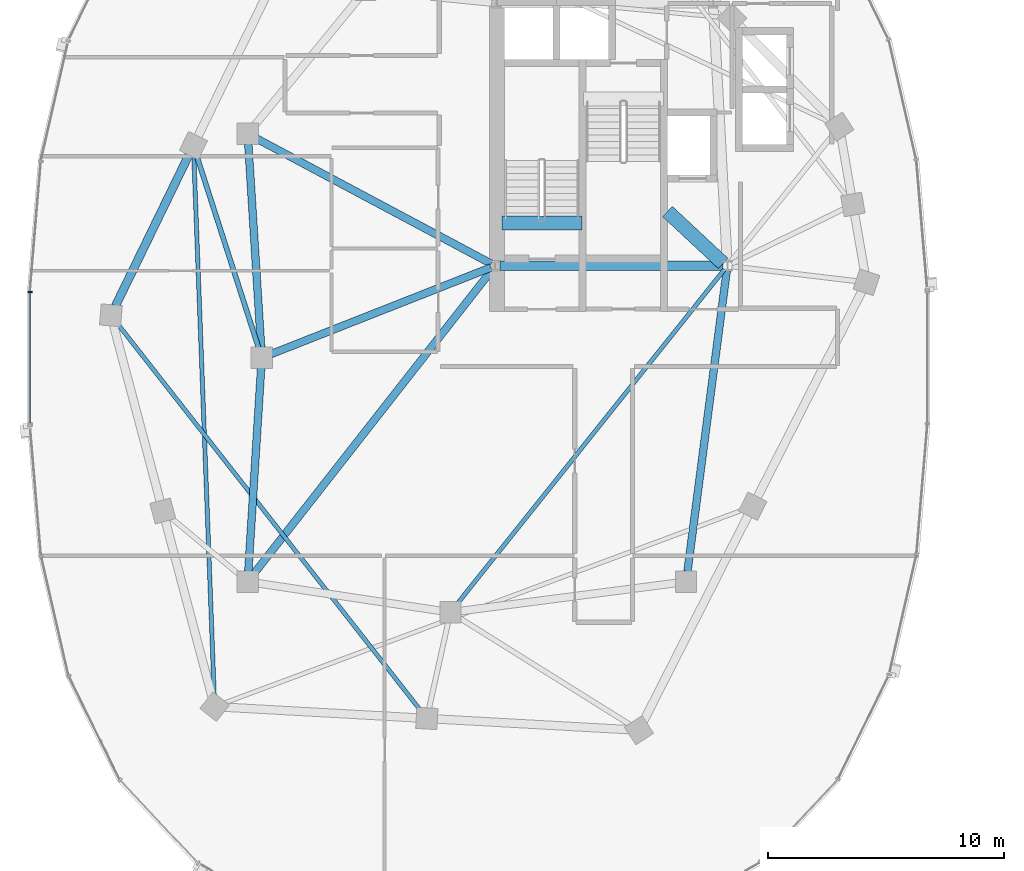
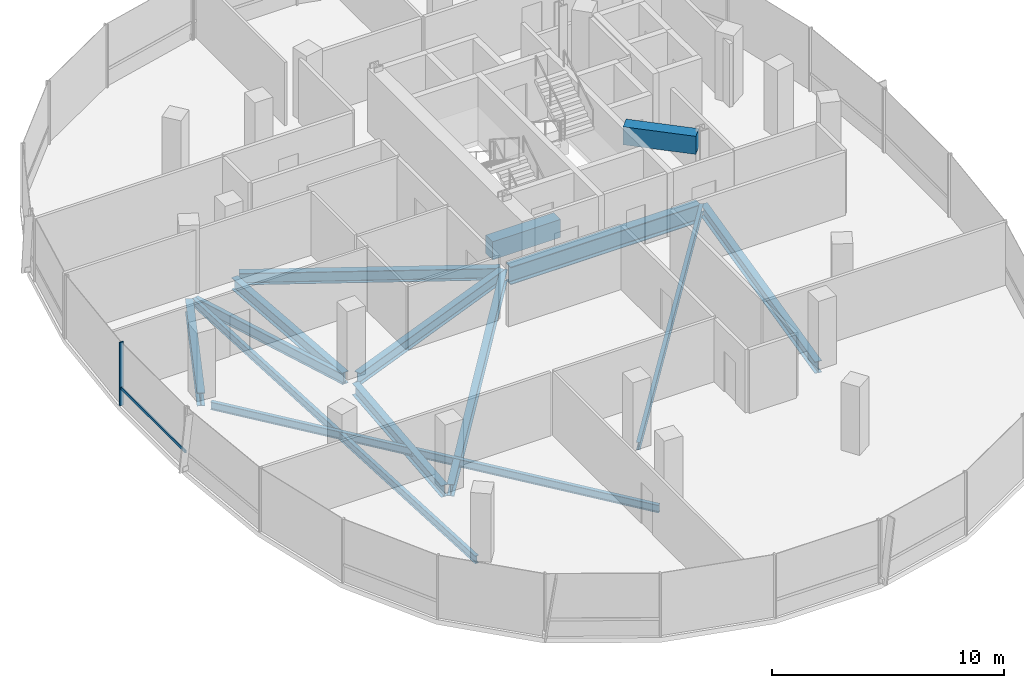
# One storey, part 4 of 25: 14 beams, 2 members, 1 element without a shape of its own.
"""IFC4 building model written with IfcOpenShell, lengths in metres."""

from ifc_helpers import new_model, si_unit, direction, frame, origin, origin_2d, place, context, subcontext, project, spatial, rectangle, i_section, extrude, material, material_profile, profile_set, type_object, element, aggregate, save


model = new_model("IFC4")

# Units and contexts
model_context = context("Model", 3, precision=1e-05, world=origin(), true_north=direction((0.0, 1.0)))
body_context = subcontext(model_context, "Body", "Model", "MODEL_VIEW")
ifc_project = project(units=[si_unit("LENGTHUNIT", "METRE"), si_unit("AREAUNIT", "SQUARE_METRE"), si_unit("VOLUMEUNIT", "CUBIC_METRE"), si_unit("PLANEANGLEUNIT", "RADIAN"), si_unit("MASSUNIT", "GRAM", prefix="KILO"), si_unit("THERMODYNAMICTEMPERATUREUNIT", "KELVIN"), si_unit("POWERUNIT", "WATT")], contexts=[model_context])

# Site, building, storey
site_placement = place(None, origin())
site = spatial("IfcSite", under=ifc_project, at=site_placement, CompositionType="ELEMENT")
building_placement = place(site_placement, origin())
building = spatial("IfcBuilding", under=site, at=building_placement, Name="Cundina Bronze Exchange", CompositionType="ELEMENT")
storey_placement = place(building_placement, frame((0.0, 0.0, 206.199951171875)))
storey = spatial("IfcBuildingStorey", under=building, at=storey_placement, Name="L54", CompositionType="ELEMENT", Elevation=206.199951171875)

# Beams
ifc_material_1 = material(Name="Concrete C60/75", Category="concrete")
ifc_material_profile_1 = material_profile(ifc_material_1, rectangle(XDim=0.60009765625, YDim=0.949951171875, at=origin_2d()), Name="RC600X950", Category="concrete")
ifc_profile_set_1 = profile_set([ifc_material_profile_1], Name="Concrete C60/75")
beam_type_1 = type_object("IfcBeamType", Name="BM-COUP-RC950", PredefinedType="LINTEL", material=ifc_profile_set_1)
beam_1_placement = place(storey_placement, frame((-31.02001953125, 5.719970703125, -0.474853515625), z_axis=(1.0, 0.0, 0.0), x_axis=(0.0, 1.0, 0.0)))
element("IfcBeam", 1, at=beam_1_placement, inside=storey, type_object=beam_type_1, Name="L54 Stair W1 Landing Header Beam", PredefinedType="LINTEL", context=body_context, shape_type="SweptSolid", body=[
    extrude(rectangle(XDim=0.60009765625, YDim=0.949951171875, at=origin_2d()), origin(), (0.0, 0.0, 1.0), 3.39990234375),
])
beam_2_placement = place(storey_placement, frame((-23.989990234375, 6.199951171875, 2.864990234375), z_axis=(0.731490439815, -0.681851696822, 0.0), x_axis=(0.681851696822, 0.731490439815, 0.0)))
element("IfcBeam", 2, at=beam_2_placement, inside=storey, type_object=beam_type_1, Name="L54 W Core Shear Coupling Lintel Beam", PredefinedType="LINTEL", context=body_context, shape_type="SweptSolid", body=[
    extrude(rectangle(XDim=0.60009765625, YDim=0.949951171875, at=origin_2d()), origin(), (0.0, 0.0, 1.0), 3.226318359375),
])
ifc_material_2 = material(Name="Steel ASTM A992 Grade 50", Category="steel")
ifc_material_profile_2 = material_profile(ifc_material_2, i_section(OverallWidth=0.2119140625, OverallDepth=0.5439453125, WebThickness=0.01318359375, FlangeThickness=0.021240234375, FilletRadius=0.013916015625, at=origin_2d()), Name="W21X83", Category="steel")
ifc_profile_set_2 = profile_set([ifc_material_profile_2], Name="Steel ASTM A992 Grade 50")
beam_type_2 = type_object("IfcBeamType", Name="BM-FLR-W21A", PredefinedType="BEAM", material=ifc_profile_set_2)
beam_3_placement = place(storey_placement, frame((-41.334228515625, 0.4169921875, -0.531982421875), z_axis=(-0.306727566953, 0.951797352208, 0.0), x_axis=(-0.951797352208, -0.306727566953, 0.0)))
element("IfcBeam", 3, at=beam_3_placement, inside=storey, type_object=beam_type_2, Name="L54 Leg W Radial Floor Beam 07", PredefinedType="BEAM", context=body_context, shape_type="SweptSolid", body=[
    extrude(i_section(OverallWidth=0.2119140625, OverallDepth=0.5439453125, WebThickness=0.01318359375, FlangeThickness=0.021240234375, FilletRadius=0.013916015625, at=origin_2d()), origin(), (0.0, 0.0, 1.0), 8.57958984375),
])
ifc_material_profile_3 = material_profile(ifc_material_2, i_section(OverallWidth=0.178955078125, OverallDepth=0.409912109375, WebThickness=0.0087890625, FlangeThickness=0.014404296875, FilletRadius=0.010986328125, at=origin_2d()), Name="W16X45", Category="steel")
ifc_profile_set_3 = profile_set([ifc_material_profile_3], Name="Steel ASTM A992 Grade 50")
beam_type_3 = type_object("IfcBeamType", Name="BM-JST-W16", PredefinedType="JOIST", material=ifc_profile_set_3)
beam_4_placement = place(storey_placement, frame((-21.572509765625, 3.746826171875, -0.46484375), z_axis=(-0.624364266872, -0.781133319129, 0.0), x_axis=(0.781133319129, -0.624364266872, 0.0)))
element("IfcBeam", 4, at=beam_4_placement, inside=storey, type_object=beam_type_3, Name="L54 W Interior Core-to-Ring Joist 2", PredefinedType="JOIST", context=body_context, shape_type="SweptSolid", body=[
    extrude(i_section(OverallWidth=0.178955078125, OverallDepth=0.409912109375, WebThickness=0.0087890625, FlangeThickness=0.014404296875, FilletRadius=0.010986328125, at=origin_2d()), origin(), (0.0, 0.0, 1.0), 18.184814453125),
])
beam_5_placement = place(storey_placement, frame((-44.08349609375, 8.562255859375, -0.46484375), z_axis=(0.037790216102, -0.999285694667, 0.0), x_axis=(0.999285694667, 0.037790216102, 0.0)))
element("IfcBeam", 5, at=beam_5_placement, inside=storey, type_object=beam_type_3, Name="L54 Leg W Lobe Floor Joist 07-10", PredefinedType="JOIST", context=body_context, shape_type="SweptSolid", body=[
    extrude(i_section(OverallWidth=0.178955078125, OverallDepth=0.409912109375, WebThickness=0.0087890625, FlangeThickness=0.014404296875, FilletRadius=0.010986328125, at=origin_2d()), origin(), (0.0, 0.0, 1.0), 22.94091796875),
])
beam_6_placement = place(storey_placement, frame((-47.329833984375, 1.455078125, -0.46484375), z_axis=(0.616810493522, -0.787111691618, 0.0), x_axis=(0.787111691618, 0.616810493522, 0.0)))
element("IfcBeam", 6, at=beam_6_placement, inside=storey, type_object=beam_type_3, Name="L54 Leg W Lobe Floor Joist 08-11", PredefinedType="JOIST", context=body_context, shape_type="SweptSolid", body=[
    extrude(i_section(OverallWidth=0.178955078125, OverallDepth=0.409912109375, WebThickness=0.0087890625, FlangeThickness=0.014404296875, FilletRadius=0.010986328125, at=origin_2d()), origin(), (0.0, 0.0, 1.0), 20.8486328125),
])
ifc_material_profile_4 = material_profile(ifc_material_2, i_section(OverallWidth=0.324951171875, OverallDepth=0.615966796875, WebThickness=0.013916015625, FlangeThickness=0.021484375, FilletRadius=0.01611328125, at=origin_2d()), Name="W24X117", Category="steel")
ifc_profile_set_4 = profile_set([ifc_material_profile_4], Name="Steel ASTM A992 Grade 50")
beam_type_4 = type_object("IfcBeamType", Name="BM-RING-W24", PredefinedType="USERDEFINED", material=ifc_profile_set_4)
for number, where, z_axis, x_axis, name in (
    (7, (-41.7724609375, 9.06298828125, -0.56787109375), (0.063046519736, -0.998010589297, 0.0), (0.998010589297, 0.063046519736, 0.0), "L54 W Inner Structural Ring Girder 03"),
    (8, (-41.2275390625, -0.43701171875, -0.56787109375), (-0.063046519736, -0.998010589297, 0.0), (0.998010589297, -0.063046519736, 0.0), "L54 W Inner Structural Ring Girder 04"),
):
    element("IfcBeam", number, at=place(storey_placement, frame(where, z_axis=z_axis, x_axis=x_axis)), inside=storey, type_object=beam_type_4, Name=name, ObjectType="GIRDER", PredefinedType="USERDEFINED", context=body_context, shape_type="SweptSolid", body=[
        extrude(i_section(OverallWidth=0.324951171875, OverallDepth=0.615966796875, WebThickness=0.013916015625, FlangeThickness=0.021484375, FilletRadius=0.01611328125, at=origin_2d()), origin(), (0.0, 0.0, 1.0), 8.64306640625),
    ])
beam_7_placement = place(storey_placement, frame((-23.143310546875, -9.065673828125, -0.56787109375), z_axis=(0.129501251979, 0.991579258424, 0.0), x_axis=(-0.991579258424, 0.129501251979, 0.0)))
element("IfcBeam", 9, at=beam_7_placement, inside=storey, type_object=beam_type_4, Name="L54 W Inner Structural Ring Girder 07", ObjectType="GIRDER", PredefinedType="USERDEFINED", context=body_context, shape_type="SweptSolid", body=[
    extrude(i_section(OverallWidth=0.324951171875, OverallDepth=0.615966796875, WebThickness=0.013916015625, FlangeThickness=0.021484375, FilletRadius=0.01611328125, at=origin_2d()), origin(), (0.0, 0.0, 1.0), 12.8798828125),
])
beam_8_placement = place(storey_placement, frame((-31.482421875, 3.828125, -0.56787109375), z_axis=(-0.930404106569, -0.366535398673, 0.0), x_axis=(0.366535398673, -0.930404106569, 0.0)))
element("IfcBeam", 10, at=beam_8_placement, inside=storey, type_object=beam_type_4, Name="L54 W Core-to-Waist Tie Beam 1", ObjectType="GIRDER", PredefinedType="USERDEFINED", context=body_context, shape_type="SweptSolid", body=[
    extrude(i_section(OverallWidth=0.324951171875, OverallDepth=0.615966796875, WebThickness=0.013916015625, FlangeThickness=0.021484375, FilletRadius=0.01611328125, at=origin_2d()), origin(), (0.0, 0.0, 1.0), 10.00634765625),
])
beam_9_placement = place(storey_placement, frame((-31.472900390625, 3.9921875, -0.56787109375), z_axis=(-0.882350541683, 0.470592734317, 0.0), x_axis=(-0.470592734317, -0.882350541683, 0.0)))
element("IfcBeam", 11, at=beam_9_placement, inside=storey, type_object=beam_type_4, Name="L54 W Core-to-Waist Tie Beam 2", ObjectType="GIRDER", PredefinedType="USERDEFINED", context=body_context, shape_type="SweptSolid", body=[
    extrude(i_section(OverallWidth=0.324951171875, OverallDepth=0.615966796875, WebThickness=0.013916015625, FlangeThickness=0.021484375, FilletRadius=0.01611328125, at=origin_2d()), origin(), (0.0, 0.0, 1.0), 11.26611328125),
])
beam_10_placement = place(storey_placement, frame((-31.4208984375, 3.74560546875, -0.56787109375), z_axis=(-0.616782900053, -0.787133314123, 0.0), x_axis=(0.787133314123, -0.616782900053, 0.0)))
element("IfcBeam", 12, at=beam_10_placement, inside=storey, type_object=beam_type_4, Name="L54 W Core-to-Waist Tie Beam 3", ObjectType="GIRDER", PredefinedType="USERDEFINED", context=body_context, shape_type="SweptSolid", body=[
    extrude(i_section(OverallWidth=0.324951171875, OverallDepth=0.615966796875, WebThickness=0.013916015625, FlangeThickness=0.021484375, FilletRadius=0.01611328125, at=origin_2d()), origin(), (0.0, 0.0, 1.0), 16.3896484375),
])
ifc_material_profile_5 = material_profile(ifc_material_2, i_section(OverallWidth=0.35498046875, OverallDepth=0.695068359375, WebThickness=0.015380859375, FlangeThickness=0.02490234375, FilletRadius=0.01806640625, at=origin_2d()), Name="W27X146", Category="steel")
ifc_profile_set_5 = profile_set([ifc_material_profile_5], Name="Steel ASTM A992 Grade 50")
beam_type_5 = type_object("IfcBeamType", Name="BM-RING-W27", PredefinedType="USERDEFINED", material=ifc_profile_set_5)
beam_11_placement = place(storey_placement, frame((-44.29150390625, 8.606201171875, -0.607421875), z_axis=(-0.437173087764, -0.89937739094, 0.0), x_axis=(0.89937739094, -0.437173087764, 0.0)))
element("IfcBeam", 13, at=beam_11_placement, inside=storey, type_object=beam_type_5, Name="L54 W Perimeter Ring Girder 07", ObjectType="GIRDER", PredefinedType="USERDEFINED", context=body_context, shape_type="SweptSolid", body=[
    extrude(i_section(OverallWidth=0.35498046875, OverallDepth=0.695068359375, WebThickness=0.015380859375, FlangeThickness=0.02490234375, FilletRadius=0.01806640625, at=origin_2d()), origin(), (0.0, 0.0, 1.0), 7.1298828125),
])
ifc_material_profile_6 = material_profile(ifc_material_2, i_section(OverallWidth=0.41796875, OverallDepth=0.927001953125, WebThickness=0.019287109375, FlangeThickness=0.031982421875, FilletRadius=0.02392578125, at=origin_2d()), Name="W36X231", Category="steel")
ifc_profile_set_6 = profile_set([ifc_material_profile_6], Name="Steel ASTM A992 Grade 50")
beam_type_6 = type_object("IfcBeamType", Name="BM-WRN-W36B", PredefinedType="USERDEFINED", material=ifc_profile_set_6)
beam_12_placement = place(storey_placement, frame((-31.10400390625, 3.89990234375, -0.723388671875), z_axis=(1.0, 0.0, 0.0), x_axis=(0.0, 1.0, 0.0)))
element("IfcBeam", 14, at=beam_12_placement, inside=storey, type_object=beam_type_6, Name="L54 W Core Perimeter Tie Girder 1", ObjectType="GIRDER", PredefinedType="USERDEFINED", context=body_context, shape_type="SweptSolid", body=[
    extrude(i_section(OverallWidth=0.41796875, OverallDepth=0.927001953125, WebThickness=0.019287109375, FlangeThickness=0.031982421875, FilletRadius=0.02392578125, at=origin_2d()), origin(), (0.0, 0.0, 1.0), 9.4580078125),
])

# Curtain wall, members
ifc_material_3 = material(Name="Anodised Bronze Aluminium 6063-T6", Category="aluminium")
curtain_wall_type = type_object("IfcCurtainWallType", Name="CWS-UPP-OFF", PredefinedType="NOTDEFINED", material=ifc_material_3)
curtain_wall_placement = place(storey_placement, origin())
curtain_wall = element("IfcCurtainWall", 15, at=curtain_wall_placement, inside=storey, type_object=curtain_wall_type, Name="L54 CW-05 Curtain Wall Run CWR-L54-W2", PredefinedType="NOTDEFINED")
ifc_material_profile_7 = material_profile(ifc_material_3, rectangle(XDim=0.070068359375, YDim=0.18994140625, at=origin_2d()), Name="AL70X190", Category="aluminium")
ifc_profile_set_7 = profile_set([ifc_material_profile_7], Name="Anodised Bronze Aluminium 6063-T6")
member_type_1 = type_object("IfcMemberType", Name="CWM-MUL-190", PredefinedType="MULLION", material=ifc_profile_set_7)
member_1_placement = place(storey_placement, frame((-51.033935546875, 2.794921875, 0.0), z_axis=(0.0, 0.0, 1.0), x_axis=(0.0, -1.0, 0.0)))
member_1 = element("IfcMember", 16, at=member_1_placement, type_object=member_type_1, Name="CW-05 Mullion 7", PredefinedType="MULLION", context=body_context, shape_type="SweptSolid", body=[
    extrude(rectangle(XDim=0.070068359375, YDim=0.18994140625, at=origin_2d()), origin(), (0.0, 0.0, 1.0), 3.340087890625),
])
ifc_material_profile_8 = material_profile(ifc_material_3, rectangle(XDim=0.06494140625, YDim=0.14990234375, at=origin_2d()), Name="AL65X150", Category="aluminium")
ifc_profile_set_8 = profile_set([ifc_material_profile_8], Name="Anodised Bronze Aluminium 6063-T6")
member_type_2 = type_object("IfcMemberType", Name="CWM-TRN-150", PredefinedType="USERDEFINED", material=ifc_profile_set_8)
member_2_placement = place(storey_placement, frame((-51.033935546875, 2.756591796875, 0.920166015625), z_axis=(0.0, -1.0, 0.0), x_axis=(1.0, 0.0, 0.0)))
member_2 = element("IfcMember", 17, at=member_2_placement, type_object=member_type_2, Name="CW-05 Spandrel Transom 7", ObjectType="TRANSOM", PredefinedType="USERDEFINED", context=body_context, shape_type="SweptSolid", body=[
    extrude(rectangle(XDim=0.06494140625, YDim=0.14990234375, at=origin_2d()), origin(), (0.0, 0.0, 1.0), 5.51318359375),
])
aggregate(curtain_wall, [member_1, member_2])

save(model, "model.ifc")
